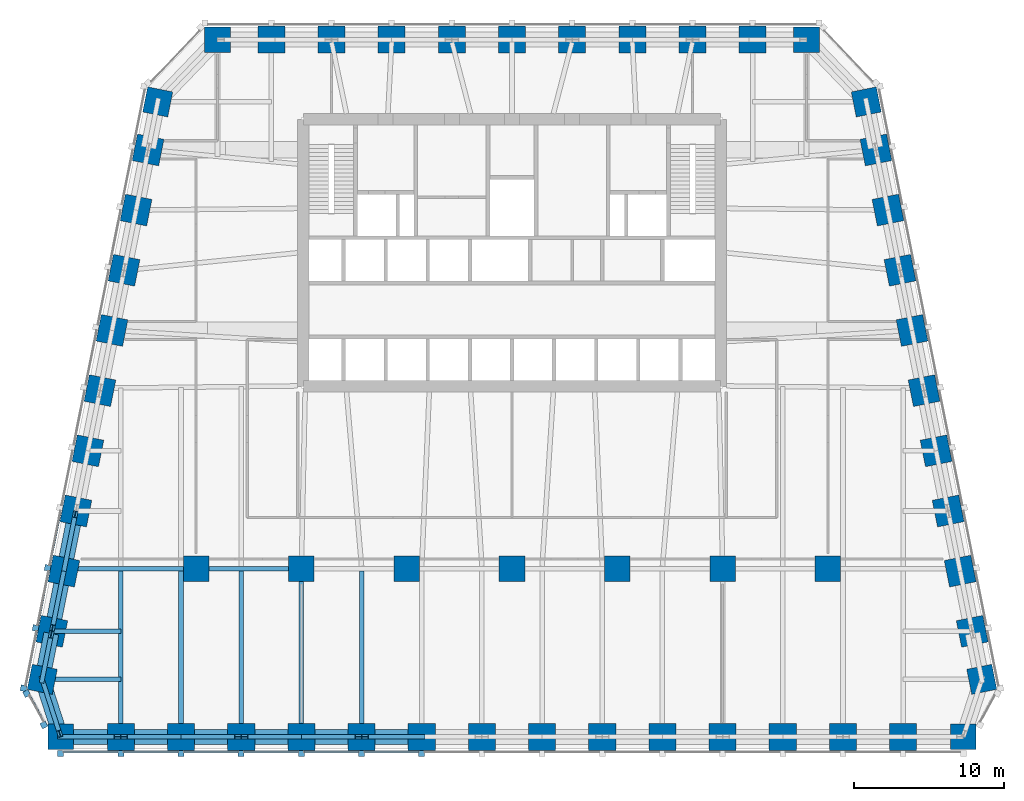
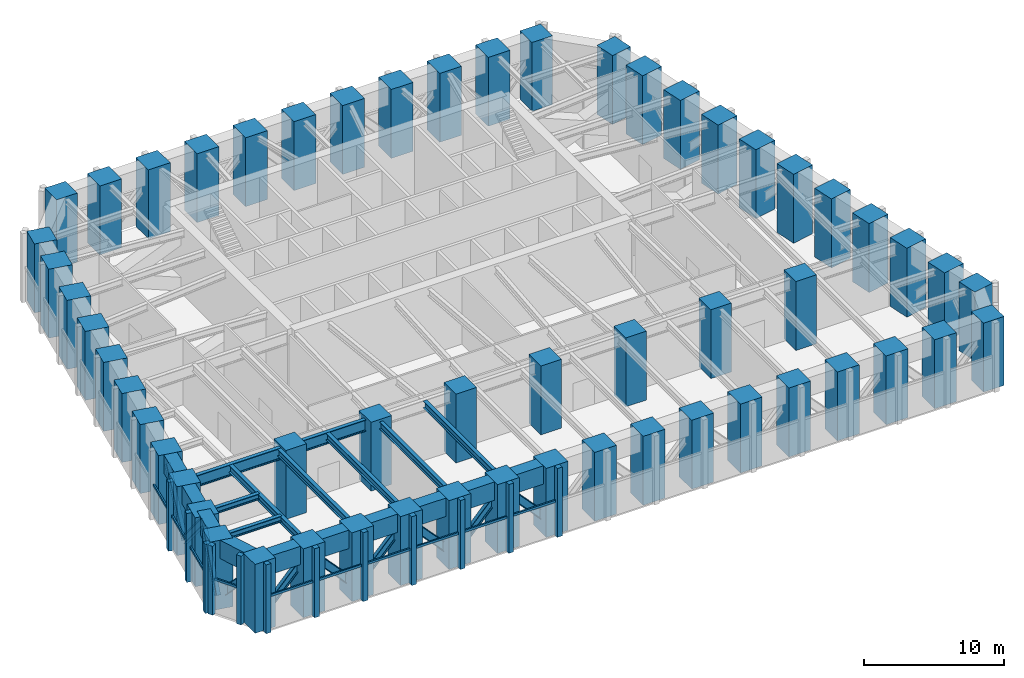
# One storey, part 1 of 9: 56 columns, 32 members, 19 beams, 3 elements without a shape of their own.
"""IFC4 building model written with IfcOpenShell, lengths in metres."""

import ifcopenshell
import ifcopenshell.guid

model = None  # the IFC model being written
_history = None  # IfcOwnerHistory: only IFC2X3 demands one
_inside = {}  # id of a spatial element -> (the spatial element, [elements in it])
_under = {}  # id of a project, library or spatial element -> (it, [spatial elements below it])
_declared = {}  # id of a project -> (the project, [libraries it declares])
_typed = {}  # id of a type object -> (the type object, [elements of that type])
_made_of = {}  # id of a material, layer set ... -> (it, [elements and type objects made of it])


def new_model(schema):
    """Start an empty IFC model of exactly this schema.

    Asked for "IFC4X3", IfcOpenShell would pick the latest addendum, in which some entities
    have other attributes; the version numbers below select the first issue.
    IFC2X3 requires an IfcOwnerHistory on every rooted entity: one is made here for all.
    """
    global model, _history
    if schema == "IFC4X3":
        model = ifcopenshell.file(schema_version=(4, 3, 0, 0))
    else:
        model = ifcopenshell.file(schema=schema)
    _inside.clear()
    _under.clear()
    _declared.clear()
    _typed.clear()
    _made_of.clear()
    _history = None
    if model.schema == "IFC2X3":
        org = make("IfcOrganization", Name="unknown")
        user = make(
            "IfcPersonAndOrganization",
            ThePerson=make("IfcPerson", FamilyName="unknown"),
            TheOrganization=org,
        )
        app = make(
            "IfcApplication",
            ApplicationDeveloper=org,
            Version="unknown",
            ApplicationFullName="unknown",
            ApplicationIdentifier="unknown",
        )
        _history = make(
            "IfcOwnerHistory",
            OwningUser=user,
            OwningApplication=app,
            ChangeAction="ADDED",
            CreationDate=0,
        )
    return model


def make(cls, **values):
    """One entity of the class cls with the attributes given. An attribute that is None is left unset."""
    return model.create_entity(
        cls, **{name: value for name, value in values.items() if value is not None}
    )


def rooted(cls, **values):
    """An entity with a GlobalId (a new one), such as an element, a storey or a relation."""
    return make(cls, GlobalId=ifcopenshell.guid.new(), OwnerHistory=_history, **values)


def si_unit(unit_type, name, prefix=None):
    """IfcSIUnit, for example si_unit("LENGTHUNIT", "METRE", prefix="MILLI")."""
    return make("IfcSIUnit", UnitType=unit_type, Prefix=prefix, Name=name)


def assignment(units):
    """IfcUnitAssignment: the units of a project."""
    return None if units is None else make("IfcUnitAssignment", Units=units)


def point(xyz):
    """IfcCartesianPoint."""
    return None if xyz is None else make("IfcCartesianPoint", Coordinates=xyz)


def direction(xyz):
    """IfcDirection."""
    return None if xyz is None else make("IfcDirection", DirectionRatios=xyz)


def frame(location, z_axis=None, x_axis=None):
    """IfcAxis2Placement3D, a coordinate frame: its origin and axes. An axis left out is left unset."""
    return make(
        "IfcAxis2Placement3D",
        Location=point(location),
        Axis=direction(z_axis),
        RefDirection=direction(x_axis),
    )


def frame_2d(location, x_axis=None):
    """IfcAxis2Placement2D, a coordinate frame in the plane: its origin and x axis."""
    return make(
        "IfcAxis2Placement2D", Location=point(location), RefDirection=direction(x_axis)
    )


def origin():
    """The frame at (0, 0, 0) with its axes left unset."""
    return frame((0.0, 0.0, 0.0))


def origin_2d():
    """The frame at (0, 0) in the plane with its x axis left unset."""
    return frame_2d((0.0, 0.0))


def place(relative_to, where):
    """IfcLocalPlacement: puts the frame where relative to a parent placement (None: the world)."""
    return make(
        "IfcLocalPlacement", PlacementRelTo=relative_to, RelativePlacement=where
    )


def context(
    kind, dimensions, precision=None, world=None, true_north=None, identifier=None
):
    """IfcGeometricRepresentationContext, for example the 3D "Model" context."""
    return make(
        "IfcGeometricRepresentationContext",
        ContextIdentifier=identifier,
        ContextType=kind,
        CoordinateSpaceDimension=dimensions,
        Precision=precision,
        WorldCoordinateSystem=world,
        TrueNorth=true_north,
    )


def subcontext(parent, identifier, kind, view, scale=None):
    """IfcGeometricRepresentationSubContext, for example "Body" below "Model"."""
    return make(
        "IfcGeometricRepresentationSubContext",
        ContextIdentifier=identifier,
        ContextType=kind,
        ParentContext=parent,
        TargetScale=scale,
        TargetView=view,
    )


def project(units=None, contexts=None):
    """IfcProject with its units and contexts."""
    return rooted(
        "IfcProject",
        Name="project",
        RepresentationContexts=contexts,
        UnitsInContext=assignment(units),
    )


def spatial(cls, under=None, at=None, **own):
    """A site, building, storey or space (cls), placed at a placement, below another one or the project."""
    s = rooted(cls, ObjectPlacement=at, **own)
    if under is not None:
        _under.setdefault(under.id(), (under, []))[1].append(s)
    return s


def profile(cls, at=None, kind="AREA", **sizes):
    """A parametric profile (cls). Its sizes go by their IFC names, for example OverallWidth=200.0."""
    return make(cls, ProfileType=kind, Position=at, **sizes)


def rectangle(**sizes):
    """IfcRectangleProfileDef."""
    return profile("IfcRectangleProfileDef", **sizes)


def i_section(**sizes):
    """IfcIShapeProfileDef."""
    return profile("IfcIShapeProfileDef", **sizes)


def extrude(swept, where, along, depth):
    """IfcExtrudedAreaSolid: the profile swept, set in the frame where, extruded along a direction by depth."""
    return make(
        "IfcExtrudedAreaSolid",
        SweptArea=swept,
        Position=where,
        ExtrudedDirection=direction(along),
        Depth=depth,
    )


def shape(context_of_items, identifier, shape_type, items):
    """IfcShapeRepresentation: the items that make up one representation, for example the "Body"."""
    return make(
        "IfcShapeRepresentation",
        ContextOfItems=context_of_items,
        RepresentationIdentifier=identifier,
        RepresentationType=shape_type,
        Items=items,
    )


def material(Name=None, Category=None):
    """IfcMaterial."""
    return make("IfcMaterial", Name=Name, Category=Category)


def material_profile(
    of_material, cross_section, Name=None, Category=None, Priority=None
):
    """IfcMaterialProfile: a cross section and its material."""
    return make(
        "IfcMaterialProfile",
        Name=Name,
        Material=of_material,
        Profile=cross_section,
        Priority=Priority,
        Category=Category,
    )


def profile_set(profiles, Name=None, composite=None):
    """IfcMaterialProfileSet."""
    return make(
        "IfcMaterialProfileSet",
        Name=Name,
        MaterialProfiles=profiles,
        CompositeProfile=composite,
    )


def made_of(thing, what):
    """Note that an element or type object is made of a material, layer set ...; save() writes the relation."""
    if what is not None:
        _made_of.setdefault(what.id(), (what, []))[1].append(thing)
    return thing


def type_object(cls, material=None, **own):
    """A type object (cls), such as IfcWallType, which elements share."""
    return made_of(rooted(cls, **own), material)


def element(
    cls,
    number,
    at=None,
    inside=None,
    cuts=None,
    type_object=None,
    material=None,
    context=None,
    identifier="Body",
    shape_type=None,
    held_by="IfcProductDefinitionShape",
    body=None,
    shapes=None,
    **own,
):
    """One element of the class cls, such as IfcWall. Its Tag is "e" and its number.

    at: its placement. inside: the storey or other place that contains it. cuts: it is an
    opening in that element (IfcRelVoidsElement). A single representation is given by context,
    identifier, shape_type and body (its items); several are given by shapes. held_by: the class
    of the entity that holds the representations. save() writes the other relations.
    """
    e = rooted(cls, Tag="e%d" % number, ObjectPlacement=at, **own)
    if body is not None:
        shapes = [shape(context, identifier, shape_type, body)]
    if shapes is not None:
        e.Representation = make(held_by, Representations=shapes)
    if inside is not None:
        _inside.setdefault(inside.id(), (inside, []))[1].append(e)
    if cuts is not None:
        rooted(
            "IfcRelVoidsElement", RelatingBuildingElement=cuts, RelatedOpeningElement=e
        )
    if type_object is not None:
        _typed.setdefault(type_object.id(), (type_object, []))[1].append(e)
    return made_of(e, material)


def aggregate(whole, parts):
    """IfcRelAggregates: a whole, such as a stair, and the parts it consists of."""
    return rooted("IfcRelAggregates", RelatingObject=whole, RelatedObjects=parts)


def save(model, path):
    """Write the relations noted so far, then the file.

    IfcRelAggregates (storeys below a building ...), IfcRelContainedInSpatialStructure (elements
    in a storey), IfcRelDefinesByType, IfcRelAssociatesMaterial and IfcRelDeclares: one each for
    every whole, place, type object, material and project.
    """
    for whole, parts in _under.values():
        aggregate(whole, parts)
    for where, things in _inside.values():
        rooted(
            "IfcRelContainedInSpatialStructure",
            RelatedElements=things,
            RelatingStructure=where,
        )
    for kind, things in _typed.values():
        rooted("IfcRelDefinesByType", RelatedObjects=things, RelatingType=kind)
    for what, things in _made_of.values():
        rooted("IfcRelAssociatesMaterial", RelatedObjects=things, RelatingMaterial=what)
    for by, libraries in _declared.values():
        rooted("IfcRelDeclares", RelatingContext=by, RelatedDefinitions=libraries)
    model.write(path)


model = new_model("IFC4")

# Units and contexts
model_context = context("Model", 3, precision=1e-05, world=origin(), true_north=direction((0.0, 1.0)))
body_context = subcontext(model_context, "Body", "Model", "MODEL_VIEW")
ifc_project = project(units=[si_unit("LENGTHUNIT", "METRE"), si_unit("AREAUNIT", "SQUARE_METRE"), si_unit("VOLUMEUNIT", "CUBIC_METRE"), si_unit("PLANEANGLEUNIT", "RADIAN"), si_unit("MASSUNIT", "GRAM", prefix="KILO")], contexts=[model_context])

# Site, building, storey
site_placement = place(None, origin())
site = spatial("IfcSite", under=ifc_project, at=site_placement, CompositionType="ELEMENT")
building_placement = place(site_placement, origin())
building = spatial("IfcBuilding", under=site, at=building_placement, Name="Isbrekke Arena Tower", CompositionType="ELEMENT")
storey_placement = place(building_placement, frame((0.0, 0.0, 167.0)))
storey = spatial("IfcBuildingStorey", under=building, at=storey_placement, Name="L38", CompositionType="ELEMENT", Elevation=167.0)

# Columns
ifc_material_1 = material(Name="Concrete B80 (C80/95)", Category="concrete")
ifc_material_profile_1 = material_profile(ifc_material_1, rectangle(XDim=1.699951171875, YDim=1.699951171875, at=origin_2d()), Name="RC 1700x1700")
ifc_profile_set_1 = profile_set([ifc_material_profile_1], Name="Concrete B80 (C80/95)")
column_type_1 = type_object("IfcColumnType", Name="C12 RC 1700 x 1700", PredefinedType="COLUMN", material=ifc_profile_set_1)
for number, where, z_axis, x_axis, name in (
    (1, (-21.0, -6.0, 0.0), (0.0, 0.0, 1.0), (1.0, 0.0, 0.0), "C12 I01"),
    (2, (-14.0, -6.0, 0.0), (0.0, 0.0, 1.0), (1.0, 0.0, 0.0), "C12 I02"),
    (3, (-7.0, -6.0, 0.0), (0.0, 0.0, 1.0), (1.0, 0.0, 0.0), "C12 I03"),
    (4, (0.0, -6.0, 0.0), (0.0, 0.0, 1.0), (1.0, 0.0, 0.0), "C12 I04"),
    (5, (7.0, -6.0, 0.0), (0.0, 0.0, 1.0), (1.0, 0.0, 0.0), "C12 I05"),
    (6, (14.0, -6.0, 0.0), (0.0, 0.0, 1.0), (1.0, 0.0, 0.0), "C12 I06"),
    (7, (21.0, -6.0, 0.0), (0.0, 0.0, 1.0), (1.0, 0.0, 0.0), "C12 I07"),
):
    element("IfcColumn", number, at=place(storey_placement, frame(where, z_axis=z_axis, x_axis=x_axis)), inside=storey, type_object=column_type_1, Name=name, PredefinedType="COLUMN", context=body_context, shape_type="SweptSolid", body=[
        extrude(rectangle(XDim=1.699951171875, YDim=1.699951171875, at=origin_2d()), origin(), (0.0, 0.0, 1.0), 6.0),
    ])
ifc_material_2 = material(Name="Concrete B80 (C80/95)", Category="concrete")
ifc_material_profile_2 = material_profile(ifc_material_2, rectangle(XDim=1.800048828125, YDim=1.800048828125, at=origin_2d()), Name="RC 1800x1800")
ifc_profile_set_2 = profile_set([ifc_material_profile_2], Name="Concrete B80 (C80/95)")
column_type_2 = type_object("IfcColumnType", Name="C3 RC 1800 x 1800", PredefinedType="COLUMN", material=ifc_profile_set_2)
for number, where, z_axis, x_axis, name in (
    (8, (-26.0, -17.175048828125, 0.0), (0.0, 0.0, 1.0), (1.0, 0.0, 0.0), "C3 S02"),
    (9, (-22.0, -17.175048828125, 0.0), (0.0, 0.0, 1.0), (1.0, 0.0, 0.0), "C3 S03"),
    (10, (-18.0, -17.175048828125, 0.0), (0.0, 0.0, 1.0), (1.0, 0.0, 0.0), "C3 S04"),
    (11, (-14.0, -17.175048828125, 0.0), (0.0, 0.0, 1.0), (1.0, 0.0, 0.0), "C3 S05"),
    (12, (-10.0, -17.175048828125, 0.0), (0.0, 0.0, 1.0), (1.0, 0.0, 0.0), "C3 S06"),
    (13, (-6.0, -17.175048828125, 0.0), (0.0, 0.0, 1.0), (1.0, 0.0, 0.0), "C3 S07"),
    (14, (-2.0, -17.175048828125, 0.0), (0.0, 0.0, 1.0), (1.0, 0.0, 0.0), "C3 S08"),
    (15, (2.0, -17.175048828125, 0.0), (0.0, 0.0, 1.0), (1.0, 0.0, 0.0), "C3 S09"),
    (16, (6.0, -17.175048828125, 0.0), (0.0, 0.0, 1.0), (1.0, 0.0, 0.0), "C3 S10"),
    (17, (10.0, -17.175048828125, 0.0), (0.0, 0.0, 1.0), (1.0, 0.0, 0.0), "C3 S11"),
    (18, (14.0, -17.175048828125, 0.0), (0.0, 0.0, 1.0), (1.0, 0.0, 0.0), "C3 S12"),
    (19, (18.0, -17.175048828125, 0.0), (0.0, 0.0, 1.0), (1.0, 0.0, 0.0), "C3 S13"),
    (20, (22.0, -17.175048828125, 0.0), (0.0, 0.0, 1.0), (1.0, 0.0, 0.0), "C3 S14"),
    (21, (26.0, -17.175048828125, 0.0), (0.0, 0.0, 1.0), (1.0, 0.0, 0.0), "C3 S15"),
    (22, (30.591064453125, -10.161865234375, 0.0), (0.0, 0.0, 1.0), (-0.196116135138, 0.980580675691, 0.0), "C3 E02"),
    (23, (29.791015625, -6.161865234375, 0.0), (0.0, 0.0, 1.0), (-0.196116135138, 0.980580675691, 0.0), "C3 E03"),
    (24, (28.990966796875, -2.161865234375, 0.0), (0.0, 0.0, 1.0), (-0.196116135138, 0.980580675691, 0.0), "C3 E04"),
    (25, (28.19091796875, 1.838134765625, 0.0), (0.0, 0.0, 1.0), (-0.196116135138, 0.980580675691, 0.0), "C3 E05"),
    (26, (27.39111328125, 5.838134765625, 0.0), (0.0, 0.0, 1.0), (-0.196116135138, 0.980580675691, 0.0), "C3 E06"),
    (27, (26.591064453125, 9.838134765625, 0.0), (0.0, 0.0, 1.0), (-0.196116135138, 0.980580675691, 0.0), "C3 E07"),
    (28, (25.791015625, 13.838134765625, 0.0), (0.0, 0.0, 1.0), (-0.196116135138, 0.980580675691, 0.0), "C3 E08"),
    (29, (24.990966796875, 17.838134765625, 0.0), (0.0, 0.0, 1.0), (-0.196116135138, 0.980580675691, 0.0), "C3 E09"),
    (30, (24.19091796875, 21.838134765625, 0.0), (0.0, 0.0, 1.0), (-0.196116135138, 0.980580675691, 0.0), "C3 E10"),
    (31, (16.0, 29.175048828125, 0.0), (0.0, 0.0, 1.0), (-1.0, 0.0, 0.0), "C3 N02"),
    (32, (12.0, 29.175048828125, 0.0), (0.0, 0.0, 1.0), (-1.0, 0.0, 0.0), "C3 N03"),
    (33, (8.0, 29.175048828125, 0.0), (0.0, 0.0, 1.0), (-1.0, 0.0, 0.0), "C3 N04"),
    (34, (4.0, 29.175048828125, 0.0), (0.0, 0.0, 1.0), (-1.0, 0.0, 0.0), "C3 N05"),
    (35, (0.0, 29.175048828125, 0.0), (0.0, 0.0, 1.0), (-1.0, 0.0, 0.0), "C3 N06"),
    (36, (-4.0, 29.175048828125, 0.0), (0.0, 0.0, 1.0), (-1.0, 0.0, 0.0), "C3 N07"),
    (37, (-8.0, 29.175048828125, 0.0), (0.0, 0.0, 1.0), (-1.0, 0.0, 0.0), "C3 N08"),
    (38, (-12.0, 29.175048828125, 0.0), (0.0, 0.0, 1.0), (-1.0, 0.0, 0.0), "C3 N09"),
    (39, (-16.0, 29.175048828125, 0.0), (0.0, 0.0, 1.0), (-1.0, 0.0, 0.0), "C3 N10"),
    (40, (-24.19091796875, 21.838134765625, 0.0), (0.0, 0.0, 1.0), (-0.196116135138, -0.980580675691, 0.0), "C3 W02"),
    (41, (-24.990966796875, 17.838134765625, 0.0), (0.0, 0.0, 1.0), (-0.196116135138, -0.980580675691, 0.0), "C3 W03"),
    (42, (-25.791015625, 13.838134765625, 0.0), (0.0, 0.0, 1.0), (-0.196116135138, -0.980580675691, 0.0), "C3 W04"),
    (43, (-26.591064453125, 9.838134765625, 0.0), (0.0, 0.0, 1.0), (-0.196116135138, -0.980580675691, 0.0), "C3 W05"),
    (44, (-27.39111328125, 5.838134765625, 0.0), (0.0, 0.0, 1.0), (-0.196116135138, -0.980580675691, 0.0), "C3 W06"),
    (45, (-28.19091796875, 1.838134765625, 0.0), (0.0, 0.0, 1.0), (-0.196116135138, -0.980580675691, 0.0), "C3 W07"),
    (46, (-28.990966796875, -2.161865234375, 0.0), (0.0, 0.0, 1.0), (-0.196116135138, -0.980580675691, 0.0), "C3 W08"),
    (47, (-29.791015625, -6.161865234375, 0.0), (0.0, 0.0, 1.0), (-0.196116135138, -0.980580675691, 0.0), "C3 W09"),
    (48, (-30.591064453125, -10.161865234375, 0.0), (0.0, 0.0, 1.0), (-0.196116135138, -0.980580675691, 0.0), "C3 W10"),
):
    element("IfcColumn", number, at=place(storey_placement, frame(where, z_axis=z_axis, x_axis=x_axis)), inside=storey, type_object=column_type_2, Name=name, PredefinedType="COLUMN", context=body_context, shape_type="SweptSolid", body=[
        extrude(rectangle(XDim=1.800048828125, YDim=1.800048828125, at=origin_2d()), origin(), (0.0, 0.0, 1.0), 6.0),
    ])
ifc_material_3 = material(Name="Concrete B80 (C80/95)", Category="concrete")
ifc_material_profile_3 = material_profile(ifc_material_3, rectangle(XDim=1.699951171875, YDim=1.699951171875, at=origin_2d()), Name="RC 1700x1700")
ifc_profile_set_3 = profile_set([ifc_material_profile_3], Name="Concrete B80 (C80/95)")
column_type_3 = type_object("IfcColumnType", Name="C7 RC 1700 x 1700", PredefinedType="COLUMN", material=ifc_profile_set_3)
for number, where, z_axis, x_axis, name in (
    (49, (-30.0, -17.175048828125, 0.0), (0.0, 0.0, 1.0), (1.0, 0.0, 0.0), "C7 S01"),
    (50, (30.0, -17.175048828125, 0.0), (0.0, 0.0, 1.0), (1.0, 0.0, 0.0), "C7 S16"),
    (51, (31.229248046875, -13.352783203125, 0.0), (0.0, 0.0, 1.0), (-0.196116135138, 0.980580675691, 0.0), "C7 E01"),
    (52, (23.552734375, 25.029296875, 0.0), (0.0, 0.0, 1.0), (-0.196116135138, 0.980580675691, 0.0), "C7 E11"),
    (53, (19.574951171875, 29.175048828125, 0.0), (0.0, 0.0, 1.0), (-1.0, 0.0, 0.0), "C7 N01"),
    (54, (-19.574951171875, 29.175048828125, 0.0), (0.0, 0.0, 1.0), (-1.0, 0.0, 0.0), "C7 N11"),
    (55, (-23.552734375, 25.029296875, 0.0), (0.0, 0.0, 1.0), (-0.196116135138, -0.980580675691, 0.0), "C7 W01"),
    (56, (-31.229248046875, -13.352783203125, 0.0), (0.0, 0.0, 1.0), (-0.196116135138, -0.980580675691, 0.0), "C7 W11"),
):
    element("IfcColumn", number, at=place(storey_placement, frame(where, z_axis=z_axis, x_axis=x_axis)), inside=storey, type_object=column_type_3, Name=name, PredefinedType="COLUMN", context=body_context, shape_type="SweptSolid", body=[
        extrude(rectangle(XDim=1.699951171875, YDim=1.699951171875, at=origin_2d()), origin(), (0.0, 0.0, 1.0), 6.0),
    ])

# Beams
ifc_material_4 = material(Name="Steel S355", Category="steel")
ifc_material_profile_4 = material_profile(ifc_material_4, i_section(OverallWidth=0.304931640625, OverallDepth=0.6201171875, WebThickness=0.02099609375, FlangeThickness=0.0400390625, FilletRadius=0.027099609375, at=origin_2d()), Name="HEM 600")
ifc_profile_set_4 = profile_set([ifc_material_profile_4], Name="Steel S355")
beam_type_1 = type_object("IfcBeamType", Name="B4 HEM 600", PredefinedType="BEAM", material=ifc_profile_set_4)
for number, where, z_axis, x_axis, name in (
    (57, (-26.0, -17.02490234375, 5.489990234375), (0.0, 1.0, 0.0), (-1.0, 0.0, 0.0), "B4 beam S-S02 L38"),
    (58, (-22.0, -17.02490234375, 5.489990234375), (0.0, 1.0, 0.0), (-1.0, 0.0, 0.0), "B4 beam S-S03 L38"),
    (59, (-18.0, -17.02490234375, 5.489990234375), (0.0, 1.0, 0.0), (-1.0, 0.0, 0.0), "B4 beam S-S04 L38"),
):
    element("IfcBeam", number, at=place(storey_placement, frame(where, z_axis=z_axis, x_axis=x_axis)), inside=storey, type_object=beam_type_1, Name=name, PredefinedType="BEAM", context=body_context, shape_type="SweptSolid", body=[
        extrude(i_section(OverallWidth=0.304931640625, OverallDepth=0.6201171875, WebThickness=0.02099609375, FlangeThickness=0.0400390625, FilletRadius=0.027099609375, at=origin_2d()), origin(), (0.0, 0.0, 1.0), 10.8740234375),
    ])
beam_1_placement = place(storey_placement, frame((-14.0, -17.02490234375, 5.489990234375), z_axis=(0.0, 1.0, 0.0), x_axis=(-1.0, 0.0, 0.0)))
element("IfcBeam", 60, at=beam_1_placement, inside=storey, type_object=beam_type_1, Name="B4 beam S-S05 L38", PredefinedType="BEAM", context=body_context, shape_type="SweptSolid", body=[
    extrude(i_section(OverallWidth=0.304931640625, OverallDepth=0.6201171875, WebThickness=0.02099609375, FlangeThickness=0.0400390625, FilletRadius=0.027099609375, at=origin_2d()), origin(), (0.0, 0.0, 1.0), 10.875),
])
beam_2_placement = place(storey_placement, frame((-10.0, -17.02490234375, 5.489990234375), z_axis=(0.0, 1.0, 0.0), x_axis=(-1.0, 0.0, 0.0)))
element("IfcBeam", 61, at=beam_2_placement, inside=storey, type_object=beam_type_1, Name="B4 beam S-S06 L38", PredefinedType="BEAM", context=body_context, shape_type="SweptSolid", body=[
    extrude(i_section(OverallWidth=0.304931640625, OverallDepth=0.6201171875, WebThickness=0.02099609375, FlangeThickness=0.0400390625, FilletRadius=0.027099609375, at=origin_2d()), origin(), (0.0, 0.0, 1.0), 10.8740234375),
])
ifc_material_5 = material(Name="Steel S355", Category="steel")
ifc_material_profile_5 = material_profile(ifc_material_5, i_section(OverallWidth=0.305908203125, OverallDepth=0.52392578125, WebThickness=0.02099609375, FlangeThickness=0.0400390625, FilletRadius=0.027099609375, at=origin_2d()), Name="HEM 500")
ifc_profile_set_5 = profile_set([ifc_material_profile_5], Name="Steel S355")
beam_type_2 = type_object("IfcBeamType", Name="B5 HEM 500", PredefinedType="BEAM", material=ifc_profile_set_5)
beam_3_placement = place(storey_placement, frame((-30.44091796875, -10.161865234375, 5.5380859375), z_axis=(1.0, 0.0, 0.0), x_axis=(0.0, 1.0, 0.0)))
element("IfcBeam", 62, at=beam_3_placement, inside=storey, type_object=beam_type_2, Name="B5 beam E-W10 L38", PredefinedType="BEAM", context=body_context, shape_type="SweptSolid", body=[
    extrude(i_section(OverallWidth=0.305908203125, OverallDepth=0.52392578125, WebThickness=0.02099609375, FlangeThickness=0.0400390625, FilletRadius=0.027099609375, at=origin_2d()), origin(), (0.0, 0.0, 1.0), 4.44091796875),
])
beam_4_placement = place(storey_placement, frame((-31.079345703125, -13.352783203125, 5.5380859375), z_axis=(1.0, 0.0, 0.0), x_axis=(0.0, 1.0, 0.0)))
element("IfcBeam", 63, at=beam_4_placement, inside=storey, type_object=beam_type_2, Name="B5 beam E-W11 L38", PredefinedType="BEAM", context=body_context, shape_type="SweptSolid", body=[
    extrude(i_section(OverallWidth=0.305908203125, OverallDepth=0.52392578125, WebThickness=0.02099609375, FlangeThickness=0.0400390625, FilletRadius=0.027099609375, at=origin_2d()), origin(), (0.0, 0.0, 1.0), 5.079345703125),
])

# Members
ifc_material_6 = material(Name="Steel S355", Category="steel")
ifc_material_profile_6 = material_profile(ifc_material_6, i_section(OverallWidth=0.304931640625, OverallDepth=0.6201171875, WebThickness=0.02099609375, FlangeThickness=0.0400390625, FilletRadius=0.027099609375, at=origin_2d()), Name="HEM 600")
ifc_profile_set_6 = profile_set([ifc_material_profile_6], Name="Steel S355")
member_type_1 = type_object("IfcMemberType", Name="BT1 HEM 600", PredefinedType="BRACE", material=ifc_profile_set_6)
for number, where, z_axis, x_axis, name in (
    (64, (-30.0, -17.175048828125, 0.60009765625), (0.681122032107, 0.0, 0.732169910183), (0.0, 1.0, 0.0), "BT1 belt truss diagonal S01 L38"),
    (65, (-25.781982421875, -17.175048828125, 4.66552734375), (0.681122032107, 0.0, -0.732169910183), (0.0, 1.0, 0.0), "BT1 belt truss diagonal S02 L38"),
    (66, (-22.0, -17.175048828125, 0.60009765625), (0.681122032107, 0.0, 0.732169910183), (0.0, 1.0, 0.0), "BT1 belt truss diagonal S03 L38"),
    (67, (-17.781982421875, -17.175048828125, 4.66552734375), (0.681122032107, 0.0, -0.732169910183), (0.0, 1.0, 0.0), "BT1 belt truss diagonal S04 L38"),
    (68, (-14.0, -17.175048828125, 0.60009765625), (0.681122032107, 0.0, 0.732169910183), (0.0, 1.0, 0.0), "BT1 belt truss diagonal S05 L38"),
    (69, (-9.781982421875, -17.175048828125, 4.66552734375), (0.681122032107, 0.0, -0.732169910183), (0.0, 1.0, 0.0), "BT1 belt truss diagonal S06 L38"),
):
    element("IfcMember", number, at=place(storey_placement, frame(where, z_axis=z_axis, x_axis=x_axis)), inside=storey, type_object=member_type_1, Name=name, PredefinedType="BRACE", context=body_context, shape_type="SweptSolid", body=[
        extrude(i_section(OverallWidth=0.304931640625, OverallDepth=0.6201171875, WebThickness=0.02099609375, FlangeThickness=0.0400390625, FilletRadius=0.027099609375, at=origin_2d()), origin(), (0.0, 0.0, 1.0), 5.552490234375),
    ])
for number, where, z_axis, x_axis, name in (
    (70, (-29.033935546875, -2.37646484375, 4.66943359375), (-0.134973713861, -0.674868569303, -0.725489152734), (0.980580675691, -0.196116135138, 0.0), "BT1 belt truss diagonal W08 L38"),
    (71, (-29.791015625, -6.161865234375, 0.60009765625), (-0.134973713861, -0.674868569303, 0.725489152734), (0.980580675691, -0.196116135138, 0.0), "BT1 belt truss diagonal W09 L38"),
):
    element("IfcMember", number, at=place(storey_placement, frame(where, z_axis=z_axis, x_axis=x_axis)), inside=storey, type_object=member_type_1, Name=name, PredefinedType="BRACE", context=body_context, shape_type="SweptSolid", body=[
        extrude(i_section(OverallWidth=0.304931640625, OverallDepth=0.6201171875, WebThickness=0.02099609375, FlangeThickness=0.0400390625, FilletRadius=0.027099609375, at=origin_2d()), origin(), (0.0, 0.0, 1.0), 5.609130859375),
    ])
member_1_placement = place(storey_placement, frame((-30.63232421875, -10.3681640625, 4.6220703125), z_axis=(-0.118346606157, -0.591733030783, -0.79739958684), x_axis=(0.980580675691, -0.196116135138, 0.0)))
element("IfcMember", 72, at=member_1_placement, inside=storey, type_object=member_type_1, Name="BT1 belt truss diagonal W10 L38", PredefinedType="BRACE", context=body_context, shape_type="SweptSolid", body=[
    extrude(i_section(OverallWidth=0.304931640625, OverallDepth=0.6201171875, WebThickness=0.02099609375, FlangeThickness=0.0400390625, FilletRadius=0.027099609375, at=origin_2d()), origin(), (0.0, 0.0, 1.0), 5.0439453125),
])
member_2_placement = place(storey_placement, frame((-31.229248046875, -13.352783203125, 0.60009765625), z_axis=(0.208935562442, -0.649714556176, 0.730901447694), x_axis=(0.951986403059, 0.306140308339, 0.0)))
element("IfcMember", 73, at=member_2_placement, inside=storey, type_object=member_type_1, Name="BT1 belt truss diagonal W11 L38", PredefinedType="BRACE", context=body_context, shape_type="SweptSolid", body=[
    extrude(i_section(OverallWidth=0.304931640625, OverallDepth=0.6201171875, WebThickness=0.02099609375, FlangeThickness=0.0400390625, FilletRadius=0.027099609375, at=origin_2d()), origin(), (0.0, 0.0, 1.0), 5.563232421875),
])

# Curtain wall, members
ifc_material_7 = material(Name="Glazed aluminium curtain wall", Category="aluminium")
curtain_wall_type = type_object("IfcCurtainWallType", Name="CWR PLANT LOUVRE WALL", PredefinedType="USERDEFINED", material=ifc_material_7)
curtain_wall_1_placement = place(storey_placement, origin())
curtain_wall_1 = element("IfcCurtainWall", 74, at=curtain_wall_1_placement, inside=storey, type_object=curtain_wall_type, Name="CWR curtain wall L38-S", ObjectType="PLANT LOUVRE WALL", PredefinedType="USERDEFINED")
ifc_material_8 = material(Name="Aluminium mullion, pale brick slip cladding", Category="masonry")
ifc_material_profile_7 = material_profile(ifc_material_8, rectangle(XDim=0.39990234375, YDim=0.39990234375, at=origin_2d()), Name="PIER 400X400")
ifc_profile_set_7 = profile_set([ifc_material_profile_7], Name="Aluminium mullion, pale brick slip cladding")
member_type_2 = type_object("IfcMemberType", Name="CWR-M PIER MULLION 400 x 400", PredefinedType="MULLION", material=ifc_profile_set_7)
member_3_placement = place(storey_placement, frame((-30.0, -18.27490234375, 0.0), z_axis=(0.0, 0.0, 1.0), x_axis=(1.0, 0.0, 0.0)))
member_3 = element("IfcMember", 75, at=member_3_placement, type_object=member_type_2, Name="CWR-M mullion 1", PredefinedType="MULLION", context=body_context, shape_type="SweptSolid", body=[
    extrude(rectangle(XDim=0.39990234375, YDim=0.39990234375, at=origin_2d()), origin(), (0.0, 0.0, 1.0), 6.0),
])
member_4_placement = place(storey_placement, frame((-26.0, -18.27490234375, 0.0), z_axis=(0.0, 0.0, 1.0), x_axis=(1.0, 0.0, 0.0)))
member_4 = element("IfcMember", 76, at=member_4_placement, type_object=member_type_2, Name="CWR-M mullion 2", PredefinedType="MULLION", context=body_context, shape_type="SweptSolid", body=[
    extrude(rectangle(XDim=0.39990234375, YDim=0.39990234375, at=origin_2d()), origin(), (0.0, 0.0, 1.0), 6.0),
])
member_5_placement = place(storey_placement, frame((-22.0, -18.27490234375, 0.0), z_axis=(0.0, 0.0, 1.0), x_axis=(1.0, 0.0, 0.0)))
member_5 = element("IfcMember", 77, at=member_5_placement, type_object=member_type_2, Name="CWR-M mullion 3", PredefinedType="MULLION", context=body_context, shape_type="SweptSolid", body=[
    extrude(rectangle(XDim=0.39990234375, YDim=0.39990234375, at=origin_2d()), origin(), (0.0, 0.0, 1.0), 6.0),
])
member_6_placement = place(storey_placement, frame((-18.0, -18.27490234375, 0.0), z_axis=(0.0, 0.0, 1.0), x_axis=(1.0, 0.0, 0.0)))
member_6 = element("IfcMember", 78, at=member_6_placement, type_object=member_type_2, Name="CWR-M mullion 4", PredefinedType="MULLION", context=body_context, shape_type="SweptSolid", body=[
    extrude(rectangle(XDim=0.39990234375, YDim=0.39990234375, at=origin_2d()), origin(), (0.0, 0.0, 1.0), 6.0),
])
member_7_placement = place(storey_placement, frame((-14.0, -18.27490234375, 0.0), z_axis=(0.0, 0.0, 1.0), x_axis=(1.0, 0.0, 0.0)))
member_7 = element("IfcMember", 79, at=member_7_placement, type_object=member_type_2, Name="CWR-M mullion 5", PredefinedType="MULLION", context=body_context, shape_type="SweptSolid", body=[
    extrude(rectangle(XDim=0.39990234375, YDim=0.39990234375, at=origin_2d()), origin(), (0.0, 0.0, 1.0), 6.0),
])
member_8_placement = place(storey_placement, frame((-10.0, -18.27490234375, 0.0), z_axis=(0.0, 0.0, 1.0), x_axis=(1.0, 0.0, 0.0)))
member_8 = element("IfcMember", 80, at=member_8_placement, type_object=member_type_2, Name="CWR-M mullion 6", PredefinedType="MULLION", context=body_context, shape_type="SweptSolid", body=[
    extrude(rectangle(XDim=0.39990234375, YDim=0.39990234375, at=origin_2d()), origin(), (0.0, 0.0, 1.0), 6.0),
])
member_9_placement = place(storey_placement, frame((-6.0, -18.27490234375, 0.0), z_axis=(0.0, 0.0, 1.0), x_axis=(1.0, 0.0, 0.0)))
member_9 = element("IfcMember", 81, at=member_9_placement, type_object=member_type_2, Name="CWR-M mullion 7", PredefinedType="MULLION", context=body_context, shape_type="SweptSolid", body=[
    extrude(rectangle(XDim=0.39990234375, YDim=0.39990234375, at=origin_2d()), origin(), (0.0, 0.0, 1.0), 6.0),
])

curtain_wall_2_placement = place(storey_placement, origin())
curtain_wall_2 = element("IfcCurtainWall", 82, at=curtain_wall_2_placement, inside=storey, type_object=curtain_wall_type, Name="CWR curtain wall L38-W", ObjectType="PLANT LOUVRE WALL", PredefinedType="USERDEFINED")
member_10_placement = place(storey_placement, frame((-30.86962890625, -5.946044921875, 0.0), z_axis=(0.0, 0.0, 1.0), x_axis=(-0.196116135138, -0.980580675691, 0.0)))
member_10 = element("IfcMember", 83, at=member_10_placement, type_object=member_type_2, Name="CWR-M mullion 9", PredefinedType="MULLION", context=body_context, shape_type="SweptSolid", body=[
    extrude(rectangle(XDim=0.39990234375, YDim=0.39990234375, at=origin_2d()), origin(), (0.0, 0.0, 1.0), 6.0),
])
member_11_placement = place(storey_placement, frame((-31.669677734375, -9.946044921875, 0.0), z_axis=(0.0, 0.0, 1.0), x_axis=(-0.196116135138, -0.980580675691, 0.0)))
member_11 = element("IfcMember", 84, at=member_11_placement, type_object=member_type_2, Name="CWR-M mullion 10", PredefinedType="MULLION", context=body_context, shape_type="SweptSolid", body=[
    extrude(rectangle(XDim=0.39990234375, YDim=0.39990234375, at=origin_2d()), origin(), (0.0, 0.0, 1.0), 6.0),
])
member_12_placement = place(storey_placement, frame((-32.4697265625, -13.946044921875, 0.0), z_axis=(0.0, 0.0, 1.0), x_axis=(-0.196116135138, -0.980580675691, 0.0)))
member_12 = element("IfcMember", 85, at=member_12_placement, type_object=member_type_2, Name="CWR-M mullion 11", PredefinedType="MULLION", context=body_context, shape_type="SweptSolid", body=[
    extrude(rectangle(XDim=0.39990234375, YDim=0.39990234375, at=origin_2d()), origin(), (0.0, 0.0, 1.0), 6.0),
])

curtain_wall_3_placement = place(storey_placement, origin())
curtain_wall_3 = element("IfcCurtainWall", 86, at=curtain_wall_3_placement, inside=storey, type_object=curtain_wall_type, Name="CWR curtain wall L38-WS", ObjectType="PLANT LOUVRE WALL", PredefinedType="USERDEFINED")
member_13_placement = place(storey_placement, frame((-32.2646484375, -14.29736328125, 0.0), z_axis=(0.0, 0.0, 1.0), x_axis=(0.481918749773, -0.876215908676, 0.0)))
member_13 = element("IfcMember", 87, at=member_13_placement, type_object=member_type_2, Name="CWR-M mullion 1", PredefinedType="MULLION", context=body_context, shape_type="SweptSolid", body=[
    extrude(rectangle(XDim=0.39990234375, YDim=0.39990234375, at=origin_2d()), origin(), (0.0, 0.0, 1.0), 6.0),
])
member_14_placement = place(storey_placement, frame((-31.11865234375, -16.381103515625, 0.0), z_axis=(0.0, 0.0, 1.0), x_axis=(0.481918749773, -0.876215908676, 0.0)))
member_14 = element("IfcMember", 88, at=member_14_placement, type_object=member_type_2, Name="CWR-M mullion 2", PredefinedType="MULLION", context=body_context, shape_type="SweptSolid", body=[
    extrude(rectangle(XDim=0.39990234375, YDim=0.39990234375, at=origin_2d()), origin(), (0.0, 0.0, 1.0), 6.0),
])

# Member
ifc_material_9 = material(Name="Aluminium transom", Category="aluminium")
ifc_material_profile_8 = material_profile(ifc_material_9, rectangle(XDim=0.1201171875, YDim=0.199951171875, at=origin_2d()), Name="TRANSOM 120X200")
ifc_profile_set_8 = profile_set([ifc_material_profile_8], Name="Aluminium transom")
member_type_3 = type_object("IfcMemberType", Name="CWR-T TRANSOM 120 x 200", PredefinedType="USERDEFINED", material=ifc_profile_set_8)
member_15_placement = place(storey_placement, frame((-29.800048828125, -18.175048828125, 3.0), z_axis=(1.0, 0.0, 0.0), x_axis=(0.0, 1.0, 0.0)))
member_15 = element("IfcMember", 89, at=member_15_placement, type_object=member_type_3, Name="CWR-T transom 1", ObjectType="TRANSOM", PredefinedType="USERDEFINED", context=body_context, shape_type="SweptSolid", body=[
    extrude(rectangle(XDim=0.1201171875, YDim=0.199951171875, at=origin_2d()), origin(), (0.0, 0.0, 1.0), 3.60009765625),
])

member_16_placement = place(storey_placement, frame((-25.800048828125, -18.175048828125, 3.0), z_axis=(1.0, 0.0, 0.0), x_axis=(0.0, 1.0, 0.0)))
member_16 = element("IfcMember", 90, at=member_16_placement, type_object=member_type_3, Name="CWR-T transom 2", ObjectType="TRANSOM", PredefinedType="USERDEFINED", context=body_context, shape_type="SweptSolid", body=[
    extrude(rectangle(XDim=0.1201171875, YDim=0.199951171875, at=origin_2d()), origin(), (0.0, 0.0, 1.0), 3.60009765625),
])

member_17_placement = place(storey_placement, frame((-21.800048828125, -18.175048828125, 3.0), z_axis=(1.0, 0.0, 0.0), x_axis=(0.0, 1.0, 0.0)))
member_17 = element("IfcMember", 91, at=member_17_placement, type_object=member_type_3, Name="CWR-T transom 3", ObjectType="TRANSOM", PredefinedType="USERDEFINED", context=body_context, shape_type="SweptSolid", body=[
    extrude(rectangle(XDim=0.1201171875, YDim=0.199951171875, at=origin_2d()), origin(), (0.0, 0.0, 1.0), 3.60009765625),
])

member_18_placement = place(storey_placement, frame((-17.800048828125, -18.175048828125, 3.0), z_axis=(1.0, 0.0, 0.0), x_axis=(0.0, 1.0, 0.0)))
member_18 = element("IfcMember", 92, at=member_18_placement, type_object=member_type_3, Name="CWR-T transom 4", ObjectType="TRANSOM", PredefinedType="USERDEFINED", context=body_context, shape_type="SweptSolid", body=[
    extrude(rectangle(XDim=0.1201171875, YDim=0.199951171875, at=origin_2d()), origin(), (0.0, 0.0, 1.0), 3.60009765625),
])

member_19_placement = place(storey_placement, frame((-13.800048828125, -18.175048828125, 3.0), z_axis=(1.0, 0.0, 0.0), x_axis=(0.0, 1.0, 0.0)))
member_19 = element("IfcMember", 93, at=member_19_placement, type_object=member_type_3, Name="CWR-T transom 5", ObjectType="TRANSOM", PredefinedType="USERDEFINED", context=body_context, shape_type="SweptSolid", body=[
    extrude(rectangle(XDim=0.1201171875, YDim=0.199951171875, at=origin_2d()), origin(), (0.0, 0.0, 1.0), 3.60009765625),
])

member_20_placement = place(storey_placement, frame((-9.800048828125, -18.175048828125, 3.0), z_axis=(1.0, 0.0, 0.0), x_axis=(0.0, 1.0, 0.0)))
member_20 = element("IfcMember", 94, at=member_20_placement, type_object=member_type_3, Name="CWR-T transom 6", ObjectType="TRANSOM", PredefinedType="USERDEFINED", context=body_context, shape_type="SweptSolid", body=[
    extrude(rectangle(XDim=0.1201171875, YDim=0.199951171875, at=origin_2d()), origin(), (0.0, 0.0, 1.0), 3.60009765625),
])

aggregate(curtain_wall_1, [member_3, member_4, member_5, member_6, member_7, member_8, member_9, member_15, member_16, member_17, member_18, member_19, member_20])

member_21_placement = place(storey_placement, frame((-30.0107421875, -2.161865234375, 3.0), z_axis=(-0.196154418484, -0.980573018245, 0.0), x_axis=(0.980573018245, -0.196154418484, 0.0)))
member_21 = element("IfcMember", 95, at=member_21_placement, type_object=member_type_3, Name="CWR-T transom 8", ObjectType="TRANSOM", PredefinedType="USERDEFINED", context=body_context, shape_type="SweptSolid", body=[
    extrude(rectangle(XDim=0.1201171875, YDim=0.199951171875, at=origin_2d()), origin(), (0.0, 0.0, 1.0), 3.67919921875),
])

member_22_placement = place(storey_placement, frame((-30.810791015625, -6.161865234375, 3.0), z_axis=(-0.196154418484, -0.980573018245, 0.0), x_axis=(0.980573018245, -0.196154418484, 0.0)))
member_22 = element("IfcMember", 96, at=member_22_placement, type_object=member_type_3, Name="CWR-T transom 9", ObjectType="TRANSOM", PredefinedType="USERDEFINED", context=body_context, shape_type="SweptSolid", body=[
    extrude(rectangle(XDim=0.1201171875, YDim=0.199951171875, at=origin_2d()), origin(), (0.0, 0.0, 1.0), 3.67919921875),
])

member_23_placement = place(storey_placement, frame((-31.61083984375, -10.161865234375, 3.0), z_axis=(-0.19609061241, -0.980585779891, 0.0), x_axis=(0.980585779891, -0.19609061241, 0.0)))
member_23 = element("IfcMember", 97, at=member_23_placement, type_object=member_type_3, Name="CWR-T transom 10", ObjectType="TRANSOM", PredefinedType="USERDEFINED", context=body_context, shape_type="SweptSolid", body=[
    extrude(rectangle(XDim=0.1201171875, YDim=0.199951171875, at=origin_2d()), origin(), (0.0, 0.0, 1.0), 3.67919921875),
])

aggregate(curtain_wall_2, [member_10, member_11, member_12, member_21, member_22, member_23])

member_24_placement = place(storey_placement, frame((-32.080810546875, -14.42431640625, 3.0), z_axis=(0.481918749772, -0.876215908677, 0.0), x_axis=(0.876215908677, 0.481918749772, 0.0)))
member_24 = element("IfcMember", 98, at=member_24_placement, type_object=member_type_3, Name="CWR-T transom 1", ObjectType="TRANSOM", PredefinedType="USERDEFINED", context=body_context, shape_type="SweptSolid", body=[
    extrude(rectangle(XDim=0.1201171875, YDim=0.199951171875, at=origin_2d()), origin(), (0.0, 0.0, 1.0), 1.978271484375),
])

aggregate(curtain_wall_3, [member_13, member_14, member_24])

# Beams
ifc_material_10 = material(Name="Steel S355", Category="steel")
ifc_material_profile_9 = material_profile(ifc_material_10, i_section(OverallWidth=0.302001953125, OverallDepth=1.008056640625, WebThickness=0.02099609375, FlangeThickness=0.0400390625, FilletRadius=0.030029296875, at=origin_2d()), Name="HEM 1000")
ifc_profile_set_9 = profile_set([ifc_material_profile_9], Name="Steel S355")
beam_type_3 = type_object("IfcBeamType", Name="G1 HEM 1000", PredefinedType="BEAM", material=ifc_profile_set_9)
beam_5_placement = place(storey_placement, frame((-29.791015625, -6.0, 5.2958984375), z_axis=(1.0, 0.0, 0.0), x_axis=(0.0, 1.0, 0.0)))
element("IfcBeam", 99, at=beam_5_placement, inside=storey, type_object=beam_type_3, Name="G1 beam G1-01 L38", PredefinedType="BEAM", context=body_context, shape_type="SweptSolid", body=[
    extrude(i_section(OverallWidth=0.302001953125, OverallDepth=1.008056640625, WebThickness=0.02099609375, FlangeThickness=0.0400390625, FilletRadius=0.030029296875, at=origin_2d()), origin(), (0.0, 0.0, 1.0), 8.64111328125),
])
beam_6_placement = place(storey_placement, frame((-20.85009765625, -6.0, 5.2958984375), z_axis=(1.0, 0.0, 0.0), x_axis=(0.0, 1.0, 0.0)))
element("IfcBeam", 100, at=beam_6_placement, inside=storey, type_object=beam_type_3, Name="G1 beam G1-02 L38", PredefinedType="BEAM", context=body_context, shape_type="SweptSolid", body=[
    extrude(i_section(OverallWidth=0.302001953125, OverallDepth=1.008056640625, WebThickness=0.02099609375, FlangeThickness=0.0400390625, FilletRadius=0.030029296875, at=origin_2d()), origin(), (0.0, 0.0, 1.0), 6.7001953125),
])
ifc_material_11 = material(Name="Concrete B80 (C80/95)", Category="concrete")
ifc_material_profile_10 = material_profile(ifc_material_11, rectangle(XDim=1.0, YDim=1.60009765625, at=origin_2d()), Name="RC 1000x1600")
ifc_profile_set_10 = profile_set([ifc_material_profile_10], Name="Concrete B80 (C80/95)")
beam_type_4 = type_object("IfcBeamType", Name="SB2 RC 1000 x 1600", PredefinedType="SPANDREL", material=ifc_profile_set_10)
for number, where, z_axis, x_axis, name in (
    (101, (-29.85009765625, -17.175048828125, 5.199951171875), (1.0, 0.0, 0.0), (0.0, 1.0, 0.0), "SB2 spandrel S01-S02 L38"),
    (102, (-25.85009765625, -17.175048828125, 5.199951171875), (1.0, 0.0, 0.0), (0.0, 1.0, 0.0), "SB2 spandrel S02-S03 L38"),
    (103, (-21.85009765625, -17.175048828125, 5.199951171875), (1.0, 0.0, 0.0), (0.0, 1.0, 0.0), "SB2 spandrel S03-S04 L38"),
    (104, (-17.85009765625, -17.175048828125, 5.199951171875), (1.0, 0.0, 0.0), (0.0, 1.0, 0.0), "SB2 spandrel S04-S05 L38"),
    (105, (-13.85009765625, -17.175048828125, 5.199951171875), (1.0, 0.0, 0.0), (0.0, 1.0, 0.0), "SB2 spandrel S05-S06 L38"),
    (106, (-9.85009765625, -17.175048828125, 5.199951171875), (1.0, 0.0, 0.0), (0.0, 1.0, 0.0), "SB2 spandrel S06-S07 L38"),
):
    element("IfcBeam", number, at=place(storey_placement, frame(where, z_axis=z_axis, x_axis=x_axis)), inside=storey, type_object=beam_type_4, Name=name, PredefinedType="SPANDREL", context=body_context, shape_type="SweptSolid", body=[
        extrude(rectangle(XDim=1.0, YDim=1.60009765625, at=origin_2d()), origin(), (0.0, 0.0, 1.0), 3.7001953125),
    ])
beam_7_placement = place(storey_placement, frame((-29.0205078125, -2.308837890625, 5.199951171875), z_axis=(-0.196128558387, -0.980578190959, 0.0), x_axis=(0.980578190959, -0.196128558387, 0.0)))
element("IfcBeam", 107, at=beam_7_placement, inside=storey, type_object=beam_type_4, Name="SB2 spandrel W08-W09 L38", PredefinedType="SPANDREL", context=body_context, shape_type="SweptSolid", body=[
    extrude(rectangle(XDim=1.0, YDim=1.60009765625, at=origin_2d()), origin(), (0.0, 0.0, 1.0), 3.779296875),
])
beam_8_placement = place(storey_placement, frame((-29.820556640625, -6.308837890625, 5.199951171875), z_axis=(-0.1960664412, -0.980590613169, 0.0), x_axis=(0.980590613169, -0.1960664412, 0.0)))
element("IfcBeam", 108, at=beam_8_placement, inside=storey, type_object=beam_type_4, Name="SB2 spandrel W09-W10 L38", PredefinedType="SPANDREL", context=body_context, shape_type="SweptSolid", body=[
    extrude(rectangle(XDim=1.0, YDim=1.60009765625, at=origin_2d()), origin(), (0.0, 0.0, 1.0), 3.779052734375),
])
beam_9_placement = place(storey_placement, frame((-30.620361328125, -10.308837890625, 5.199951171875), z_axis=(-0.196100243168, -0.980583853951, 0.0), x_axis=(0.980583853951, -0.196100243168, 0.0)))
element("IfcBeam", 109, at=beam_9_placement, inside=storey, type_object=beam_type_4, Name="SB2 spandrel W10-W11 L38", PredefinedType="SPANDREL", context=body_context, shape_type="SweptSolid", body=[
    extrude(rectangle(XDim=1.0, YDim=1.60009765625, at=origin_2d()), origin(), (0.0, 0.0, 1.0), 2.954345703125),
])
beam_10_placement = place(storey_placement, frame((-31.183349609375, -13.49560546875, 5.199951171875), z_axis=(0.306175101476, -0.951975213562, 0.0), x_axis=(0.951975213562, 0.306175101476, 0.0)))
element("IfcBeam", 110, at=beam_10_placement, inside=storey, type_object=beam_type_4, Name="SB2 spandrel W11-S01 L38", PredefinedType="SPANDREL", context=body_context, shape_type="SweptSolid", body=[
    extrude(rectangle(XDim=1.0, YDim=1.60009765625, at=origin_2d()), origin(), (0.0, 0.0, 1.0), 3.715087890625),
])

save(model, "model.ifc")
